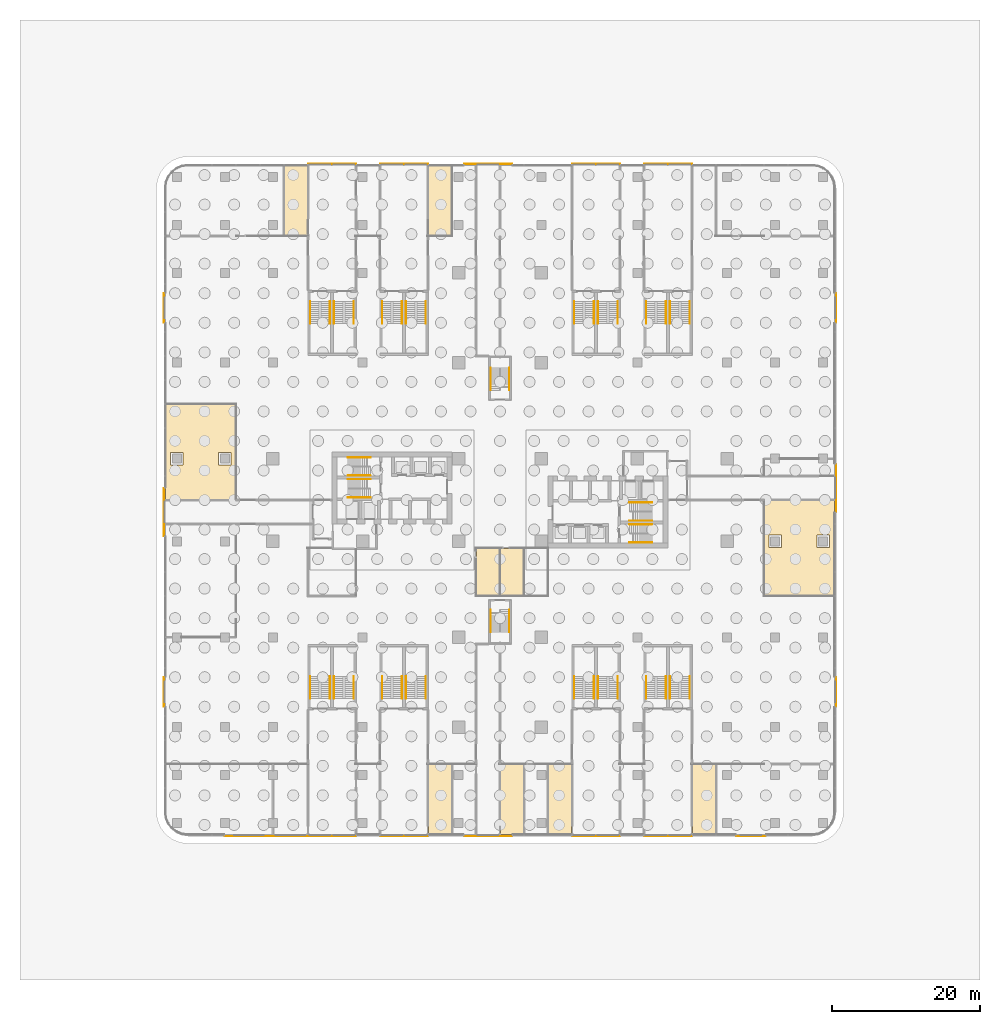
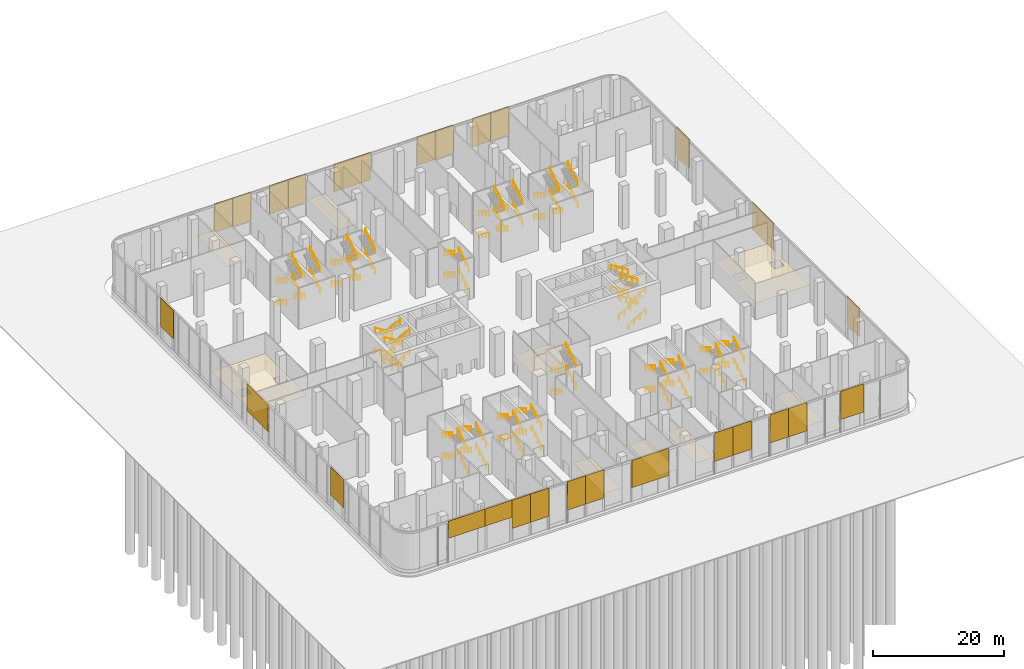
# One storey, part 26 of 27: 88 railings, 37 coverings.
"""IFC4 building model written with IfcOpenShell, lengths in metres."""

from ifc_helpers import new_model, si_unit, direction, frame, origin, origin_2d, place, context, subcontext, project, spatial, polyline, circle, outline, extrude, source, transform, mapped, material, layer, layer_set, type_object, element, save


model = new_model("IFC4")

# Units and contexts
model_context = context("Model", 3, precision=1e-05, world=origin(), true_north=direction((0.0, 1.0)))
body_context = subcontext(model_context, "Body", "Model", "MODEL_VIEW")
ifc_project = project(units=[si_unit("LENGTHUNIT", "METRE"), si_unit("AREAUNIT", "SQUARE_METRE"), si_unit("VOLUMEUNIT", "CUBIC_METRE"), si_unit("PLANEANGLEUNIT", "RADIAN"), si_unit("MASSUNIT", "GRAM", prefix="KILO")], contexts=[model_context])

# Site, building, storey
site_placement = place(None, origin())
site = spatial("IfcSite", under=ifc_project, at=site_placement, CompositionType="ELEMENT")
building_placement = place(site_placement, origin())
building = spatial("IfcBuilding", under=site, at=building_placement, Name="Trellis Farm Tower", CompositionType="ELEMENT")
storey_placement = place(building_placement, origin())
storey = spatial("IfcBuildingStorey", under=building, at=storey_placement, Name="L00", CompositionType="ELEMENT", Elevation=0.0)

# Coverings
ifc_material_1 = material(Name="Mineral fibre ceiling tile on concealed grid")
ifc_layer_1 = layer(ifc_material_1, 0.0400390625)
ifc_layer_set_1 = layer_set([ifc_layer_1], Name="MINERAL FIBRE CEILING TILE 40")
covering_type_1 = type_object("IfcCoveringType", Name="MINERAL FIBRE CEILING TILE 40", PredefinedType="CEILING", material=ifc_layer_set_1)
placement_1 = place(storey_placement, frame((0.0, 0.0, 3.0)))
element("IfcCovering", 1, at=placement_1, inside=storey, type_object=covering_type_1, Name="CL1 suspended ceiling", PredefinedType="CEILING", context=body_context, shape_type="SweptSolid", body=[
    extrude(outline(polyline([(-6.550048828125, 45.300048828125), (-6.550048828125, 35.8125), (-9.64990234375, 35.8125), (-9.64990234375, 45.300048828125), (-9.75, 45.300048828125), (-9.75, 45.302978515625), (-6.5, 45.302978515625), (-6.5, 45.300048828125), (-6.550048828125, 45.300048828125)])), origin(), (0.0, 0.0, 1.0), 0.0400390625),
])
element("IfcCovering", 2, at=placement_1, inside=storey, type_object=covering_type_1, Name="CL1 suspended ceiling", PredefinedType="CEILING", context=body_context, shape_type="SweptSolid", body=[
    extrude(outline(polyline([(-26.0, 45.300048828125), (-26.10009765625, 45.300048828125), (-26.10009765625, 35.8125), (-29.14990234375, 35.8125), (-29.14990234375, 45.300048828125), (-29.25, 45.300048828125), (-29.25, 45.302978515625), (-26.0, 45.302978515625), (-26.0, 45.300048828125)])), origin(), (0.0, 0.0, 1.0), 0.0400390625),
])
element("IfcCovering", 3, at=placement_1, inside=storey, type_object=covering_type_1, Name="CL1 suspended ceiling", PredefinedType="CEILING", context=body_context, shape_type="SweptSolid", body=[
    extrude(outline(polyline([(45.300048828125, -12.949951171875), (35.8125, -12.949951171875), (35.8125, -0.10009765625), (45.300048828125, -0.10009765625), (45.300048828125, 0.0), (45.302978515625, 0.0), (45.302978515625, -13.0), (45.300048828125, -13.0), (45.300048828125, -12.949951171875)]), holes=[polyline([(42.89990234375, -4.75), (42.89990234375, -6.449951171875), (44.60009765625, -6.449951171875), (44.60009765625, -4.75), (42.89990234375, -4.75)]), polyline([(36.39990234375, -4.75), (36.39990234375, -6.449951171875), (38.10009765625, -6.449951171875), (38.10009765625, -4.75), (36.39990234375, -4.75)])]), origin(), (0.0, 0.0, 1.0), 0.0400390625),
])
ifc_material_2 = material(Name="Moisture resistant plasterboard on metal framing")
ifc_layer_2 = layer(ifc_material_2, 0.02490234375)
ifc_layer_set_2 = layer_set([ifc_layer_2], Name="PLASTERBOARD CEILING 25")
covering_type_2 = type_object("IfcCoveringType", Name="PLASTERBOARD CEILING 25", PredefinedType="CEILING", material=ifc_layer_set_2)
element("IfcCovering", 4, at=placement_1, inside=storey, type_object=covering_type_2, Name="CL2 suspended ceiling", PredefinedType="CEILING", context=body_context, shape_type="SweptSolid", body=[
    extrude(outline(polyline([(-0.050048828125, -12.949951171875), (-3.1875, -12.949951171875), (-3.1875, -6.5625), (-0.050048828125, -6.5625), (-0.050048828125, -12.949951171875)])), origin(), (0.0, 0.0, 1.0), 0.02490234375),
])
element("IfcCovering", 5, at=placement_1, inside=storey, type_object=covering_type_2, Name="CL2 suspended ceiling", PredefinedType="CEILING", context=body_context, shape_type="SweptSolid", body=[
    extrude(outline(polyline([(-9.75, -45.300048828125), (-9.64990234375, -45.300048828125), (-9.64990234375, -35.8125), (-6.60009765625, -35.8125), (-6.60009765625, -45.300048828125), (-6.5, -45.300048828125), (-6.5, -45.302978515625), (-9.75, -45.302978515625), (-9.75, -45.300048828125)])), origin(), (0.0, 0.0, 1.0), 0.02490234375),
])
element("IfcCovering", 6, at=placement_1, inside=storey, type_object=covering_type_2, Name="CL2 suspended ceiling", PredefinedType="CEILING", context=body_context, shape_type="SweptSolid", body=[
    extrude(outline(polyline([(0.0, -45.300048828125), (0.10009765625, -45.300048828125), (0.10009765625, -35.8125), (3.14990234375, -35.8125), (3.14990234375, -45.300048828125), (3.25, -45.300048828125), (3.25, -45.302978515625), (0.0, -45.302978515625), (0.0, -45.300048828125)])), origin(), (0.0, 0.0, 1.0), 0.02490234375),
])
element("IfcCovering", 7, at=placement_1, inside=storey, type_object=covering_type_2, Name="CL2 suspended ceiling", PredefinedType="CEILING", context=body_context, shape_type="SweptSolid", body=[
    extrude(outline(polyline([(26.0, -45.300048828125), (26.10009765625, -45.300048828125), (26.10009765625, -35.8125), (29.14990234375, -35.8125), (29.14990234375, -45.300048828125), (29.25, -45.300048828125), (29.25, -45.302978515625), (26.0, -45.302978515625), (26.0, -45.300048828125)])), origin(), (0.0, 0.0, 1.0), 0.02490234375),
])
element("IfcCovering", 8, at=placement_1, inside=storey, type_object=covering_type_2, Name="CL2 suspended ceiling", PredefinedType="CEILING", context=body_context, shape_type="SweptSolid", body=[
    extrude(outline(polyline([(6.60009765625, -45.300048828125), (6.60009765625, -35.8125), (9.64990234375, -35.8125), (9.64990234375, -45.300048828125), (9.75, -45.300048828125), (9.75, -45.302978515625), (6.5, -45.302978515625), (6.5, -45.300048828125), (6.60009765625, -45.300048828125)])), origin(), (0.0, 0.0, 1.0), 0.02490234375),
])
element("IfcCovering", 9, at=placement_1, inside=storey, type_object=covering_type_2, Name="CL2 suspended ceiling", PredefinedType="CEILING", context=body_context, shape_type="SweptSolid", body=[
    extrude(outline(polyline([(-45.300048828125, 12.949951171875), (-35.8125, 12.949951171875), (-35.8125, 0.10009765625), (-45.300048828125, 0.10009765625), (-45.300048828125, 0.0), (-45.302978515625, 0.0), (-45.302978515625, 13.0), (-45.300048828125, 13.0), (-45.300048828125, 12.949951171875)]), holes=[polyline([(-44.60009765625, 4.75), (-42.89990234375, 4.75), (-42.89990234375, 6.449951171875), (-44.60009765625, 6.449951171875), (-44.60009765625, 4.75)]), polyline([(-38.10009765625, 6.449951171875), (-38.10009765625, 4.75), (-36.39990234375, 4.75), (-36.39990234375, 6.449951171875), (-38.10009765625, 6.449951171875)])]), origin(), (0.0, 0.0, 1.0), 0.02490234375),
])
ifc_material_3 = material(Name="Sandstone", Category="masonry")
ifc_layer_3 = layer(ifc_material_3, 0.050048828125)
ifc_layer_set_3 = layer_set([ifc_layer_3], Name="STONE CLADDING PANEL")
covering_type_3 = type_object("IfcCoveringType", Name="STONE CLADDING PANEL", PredefinedType="CLADDING", material=ifc_layer_set_3)
placement_2 = place(storey_placement, frame((0.0, 0.0, 2.39990234375)))
element("IfcCovering", 10, at=placement_2, inside=storey, type_object=covering_type_3, Name="CD1 01", PredefinedType="CLADDING", context=body_context, shape_type="SweptSolid", body=[
    extrude(outline(polyline([(45.550048828125, -28.0), (45.550048828125, -24.0), (45.5, -24.0), (45.5, -28.0), (45.550048828125, -28.0)])), origin(), (0.0, 0.0, 1.0), 5.300048828125),
])
placement_3 = place(storey_placement, frame((0.0, 0.0, 2.60009765625)))
element("IfcCovering", 11, at=placement_3, inside=storey, type_object=covering_type_3, Name="CD1 02", PredefinedType="CLADDING", context=body_context, shape_type="SweptSolid", body=[
    extrude(outline(polyline([(45.550048828125, -1.625), (45.550048828125, 4.875), (45.5, 4.875), (45.5, -1.625), (45.550048828125, -1.625)])), origin(), (0.0, 0.0, 1.0), 5.099853515625),
])
element("IfcCovering", 12, at=placement_2, inside=storey, type_object=covering_type_3, Name="CD1 03", PredefinedType="CLADDING", context=body_context, shape_type="SweptSolid", body=[
    extrude(outline(polyline([(45.550048828125, 24.0), (45.550048828125, 28.0), (45.5, 28.0), (45.5, 24.0), (45.550048828125, 24.0)])), origin(), (0.0, 0.0, 1.0), 5.300048828125),
])
element("IfcCovering", 13, at=placement_2, inside=storey, type_object=covering_type_3, Name="CD1 04", PredefinedType="CLADDING", context=body_context, shape_type="SweptSolid", body=[
    extrude(outline(polyline([(26.0, 45.550048828125), (22.75, 45.550048828125), (22.75, 45.5), (26.0, 45.5), (26.0, 45.550048828125)])), origin(), (0.0, 0.0, 1.0), 5.300048828125),
])
element("IfcCovering", 14, at=placement_2, inside=storey, type_object=covering_type_3, Name="CD1 05", PredefinedType="CLADDING", context=body_context, shape_type="SweptSolid", body=[
    extrude(outline(polyline([(22.75, 45.550048828125), (19.5, 45.550048828125), (19.5, 45.5), (22.75, 45.5), (22.75, 45.550048828125)])), origin(), (0.0, 0.0, 1.0), 5.300048828125),
])
element("IfcCovering", 15, at=placement_2, inside=storey, type_object=covering_type_3, Name="CD1 06", PredefinedType="CLADDING", context=body_context, shape_type="SweptSolid", body=[
    extrude(outline(polyline([(16.25, 45.550048828125), (13.0, 45.550048828125), (13.0, 45.5), (16.25, 45.5), (16.25, 45.550048828125)])), origin(), (0.0, 0.0, 1.0), 5.300048828125),
])
element("IfcCovering", 16, at=placement_2, inside=storey, type_object=covering_type_3, Name="CD1 07", PredefinedType="CLADDING", context=body_context, shape_type="SweptSolid", body=[
    extrude(outline(polyline([(13.0, 45.550048828125), (9.75, 45.550048828125), (9.75, 45.5), (13.0, 45.5), (13.0, 45.550048828125)])), origin(), (0.0, 0.0, 1.0), 5.300048828125),
])
element("IfcCovering", 17, at=placement_3, inside=storey, type_object=covering_type_3, Name="CD1 08", PredefinedType="CLADDING", context=body_context, shape_type="SweptSolid", body=[
    extrude(outline(polyline([(1.625, 45.550048828125), (-4.875, 45.550048828125), (-4.875, 45.5), (1.625, 45.5), (1.625, 45.550048828125)])), origin(), (0.0, 0.0, 1.0), 5.099853515625),
])
element("IfcCovering", 18, at=placement_2, inside=storey, type_object=covering_type_3, Name="CD1 09", PredefinedType="CLADDING", context=body_context, shape_type="SweptSolid", body=[
    extrude(outline(polyline([(-9.75, 45.550048828125), (-13.0, 45.550048828125), (-13.0, 45.5), (-9.75, 45.5), (-9.75, 45.550048828125)])), origin(), (0.0, 0.0, 1.0), 5.300048828125),
])
element("IfcCovering", 19, at=placement_2, inside=storey, type_object=covering_type_3, Name="CD1 10", PredefinedType="CLADDING", context=body_context, shape_type="SweptSolid", body=[
    extrude(outline(polyline([(-13.0, 45.550048828125), (-16.25, 45.550048828125), (-16.25, 45.5), (-13.0, 45.5), (-13.0, 45.550048828125)])), origin(), (0.0, 0.0, 1.0), 5.300048828125),
])
element("IfcCovering", 20, at=placement_2, inside=storey, type_object=covering_type_3, Name="CD1 11", PredefinedType="CLADDING", context=body_context, shape_type="SweptSolid", body=[
    extrude(outline(polyline([(-19.5, 45.550048828125), (-22.75, 45.550048828125), (-22.75, 45.5), (-19.5, 45.5), (-19.5, 45.550048828125)])), origin(), (0.0, 0.0, 1.0), 5.300048828125),
])
element("IfcCovering", 21, at=placement_2, inside=storey, type_object=covering_type_3, Name="CD1 12", PredefinedType="CLADDING", context=body_context, shape_type="SweptSolid", body=[
    extrude(outline(polyline([(-22.75, 45.550048828125), (-26.0, 45.550048828125), (-26.0, 45.5), (-22.75, 45.5), (-22.75, 45.550048828125)])), origin(), (0.0, 0.0, 1.0), 5.300048828125),
])
element("IfcCovering", 22, at=placement_2, inside=storey, type_object=covering_type_3, Name="CD1 13", PredefinedType="CLADDING", context=body_context, shape_type="SweptSolid", body=[
    extrude(outline(polyline([(-45.550048828125, 28.0), (-45.550048828125, 24.0), (-45.5, 24.0), (-45.5, 28.0), (-45.550048828125, 28.0)])), origin(), (0.0, 0.0, 1.0), 5.300048828125),
])
element("IfcCovering", 23, at=placement_3, inside=storey, type_object=covering_type_3, Name="CD1 14", PredefinedType="CLADDING", context=body_context, shape_type="SweptSolid", body=[
    extrude(outline(polyline([(-45.550048828125, 1.625), (-45.550048828125, -4.875), (-45.5, -4.875), (-45.5, 1.625), (-45.550048828125, 1.625)])), origin(), (0.0, 0.0, 1.0), 5.099853515625),
])
element("IfcCovering", 24, at=placement_2, inside=storey, type_object=covering_type_3, Name="CD1 15", PredefinedType="CLADDING", context=body_context, shape_type="SweptSolid", body=[
    extrude(outline(polyline([(-45.550048828125, -24.0), (-45.550048828125, -28.0), (-45.5, -28.0), (-45.5, -24.0), (-45.550048828125, -24.0)])), origin(), (0.0, 0.0, 1.0), 5.300048828125),
])
placement_4 = place(storey_placement, frame((0.0, 0.0, 4.5)))
element("IfcCovering", 25, at=placement_4, inside=storey, type_object=covering_type_3, Name="CD1 16", PredefinedType="CLADDING", context=body_context, shape_type="SweptSolid", body=[
    extrude(outline(polyline([(-37.25, -45.550048828125), (-30.75, -45.550048828125), (-30.75, -45.5), (-37.25, -45.5), (-37.25, -45.550048828125)])), origin(), (0.0, 0.0, 1.0), 3.199951171875),
])
element("IfcCovering", 26, at=placement_4, inside=storey, type_object=covering_type_3, Name="CD1 17", PredefinedType="CLADDING", context=body_context, shape_type="SweptSolid", body=[
    extrude(outline(polyline([(-30.75, -45.550048828125), (-26.0, -45.550048828125), (-26.0, -45.5), (-30.75, -45.5), (-30.75, -45.550048828125)])), origin(), (0.0, 0.0, 1.0), 3.199951171875),
])
element("IfcCovering", 27, at=placement_2, inside=storey, type_object=covering_type_3, Name="CD1 18", PredefinedType="CLADDING", context=body_context, shape_type="SweptSolid", body=[
    extrude(outline(polyline([(-26.0, -45.550048828125), (-22.75, -45.550048828125), (-22.75, -45.5), (-26.0, -45.5), (-26.0, -45.550048828125)])), origin(), (0.0, 0.0, 1.0), 5.300048828125),
])
element("IfcCovering", 28, at=placement_2, inside=storey, type_object=covering_type_3, Name="CD1 19", PredefinedType="CLADDING", context=body_context, shape_type="SweptSolid", body=[
    extrude(outline(polyline([(-22.75, -45.550048828125), (-19.5, -45.550048828125), (-19.5, -45.5), (-22.75, -45.5), (-22.75, -45.550048828125)])), origin(), (0.0, 0.0, 1.0), 5.300048828125),
])
element("IfcCovering", 29, at=placement_2, inside=storey, type_object=covering_type_3, Name="CD1 20", PredefinedType="CLADDING", context=body_context, shape_type="SweptSolid", body=[
    extrude(outline(polyline([(-16.25, -45.550048828125), (-13.0, -45.550048828125), (-13.0, -45.5), (-16.25, -45.5), (-16.25, -45.550048828125)])), origin(), (0.0, 0.0, 1.0), 5.300048828125),
])
element("IfcCovering", 30, at=placement_2, inside=storey, type_object=covering_type_3, Name="CD1 21", PredefinedType="CLADDING", context=body_context, shape_type="SweptSolid", body=[
    extrude(outline(polyline([(-13.0, -45.550048828125), (-9.75, -45.550048828125), (-9.75, -45.5), (-13.0, -45.5), (-13.0, -45.550048828125)])), origin(), (0.0, 0.0, 1.0), 5.300048828125),
])
element("IfcCovering", 31, at=placement_3, inside=storey, type_object=covering_type_3, Name="CD1 22", PredefinedType="CLADDING", context=body_context, shape_type="SweptSolid", body=[
    extrude(outline(polyline([(-4.875, -45.550048828125), (1.625, -45.550048828125), (1.625, -45.5), (-4.875, -45.5), (-4.875, -45.550048828125)])), origin(), (0.0, 0.0, 1.0), 5.099853515625),
])
element("IfcCovering", 32, at=placement_2, inside=storey, type_object=covering_type_3, Name="CD1 23", PredefinedType="CLADDING", context=body_context, shape_type="SweptSolid", body=[
    extrude(outline(polyline([(9.75, -45.550048828125), (13.0, -45.550048828125), (13.0, -45.5), (9.75, -45.5), (9.75, -45.550048828125)])), origin(), (0.0, 0.0, 1.0), 5.300048828125),
])
element("IfcCovering", 33, at=placement_2, inside=storey, type_object=covering_type_3, Name="CD1 24", PredefinedType="CLADDING", context=body_context, shape_type="SweptSolid", body=[
    extrude(outline(polyline([(13.0, -45.550048828125), (16.25, -45.550048828125), (16.25, -45.5), (13.0, -45.5), (13.0, -45.550048828125)])), origin(), (0.0, 0.0, 1.0), 5.300048828125),
])
element("IfcCovering", 34, at=placement_2, inside=storey, type_object=covering_type_3, Name="CD1 25", PredefinedType="CLADDING", context=body_context, shape_type="SweptSolid", body=[
    extrude(outline(polyline([(19.5, -45.550048828125), (22.75, -45.550048828125), (22.75, -45.5), (19.5, -45.5), (19.5, -45.550048828125)])), origin(), (0.0, 0.0, 1.0), 5.300048828125),
])
element("IfcCovering", 35, at=placement_2, inside=storey, type_object=covering_type_3, Name="CD1 26", PredefinedType="CLADDING", context=body_context, shape_type="SweptSolid", body=[
    extrude(outline(polyline([(22.75, -45.550048828125), (26.0, -45.550048828125), (26.0, -45.5), (22.75, -45.5), (22.75, -45.550048828125)])), origin(), (0.0, 0.0, 1.0), 5.300048828125),
])
element("IfcCovering", 36, at=placement_2, inside=storey, type_object=covering_type_3, Name="CD1 27", PredefinedType="CLADDING", context=body_context, shape_type="SweptSolid", body=[
    extrude(outline(polyline([(32.0, -45.550048828125), (36.0, -45.550048828125), (36.0, -45.5), (32.0, -45.5), (32.0, -45.550048828125)])), origin(), (0.0, 0.0, 1.0), 5.300048828125),
])

# Railings
ifc_material_4 = material(Name="Stainless steel", Category="steel")
railing_type = type_object("IfcRailingType", Name="STAIR HANDRAIL 900", PredefinedType="HANDRAIL", material=ifc_material_4)
shared_shape_1 = source(origin(), body_context, "Body", "SweptSolid", [
    extrude(circle(Radius=0.02392578125, at=origin_2d()), frame((0.0, 0.0, 0.8759765625), z_axis=(0.0, 0.855200612876, 0.518297126884), x_axis=(-1.0, 0.0, 0.0)), (0.0, 0.0, 1.0), 3.537109375),
    extrude(circle(Radius=0.02099609375, at=origin_2d()), origin(), (0.0, 0.0, 1.0), 0.851806640625),
    extrude(circle(Radius=0.02099609375, at=origin_2d()), frame((0.0, 1.00830078125, 0.611083984375)), (0.0, 0.0, 1.0), 0.851806640625),
    extrude(circle(Radius=0.02099609375, at=origin_2d()), frame((0.0, 2.0166015625, 1.22216796875)), (0.0, 0.0, 1.0), 0.851806640625),
    extrude(circle(Radius=0.02099609375, at=origin_2d()), frame((0.0, 3.02490234375, 1.833251953125)), (0.0, 0.0, 1.0), 0.851806640625),
])
for number, where, name in (
    (37, (1.25, 14.85009765625, 0.166748046875), "Stair handrail"),
    (38, (1.25, 14.85009765625, 4.166748046875), "Stair handrail"),
    (39, (1.25, -17.875, 2.166748046875), "Stair handrail"),
    (40, (1.25, -17.875, 6.166748046875), "Stair handrail"),
    (41, (-23.02001953125, 23.875, 2.166748046875), "Stair handrail"),
    (42, (-23.02001953125, 23.875, 6.166748046875), "Stair handrail"),
    (43, (-19.800048828125, 23.875, 2.166748046875), "Stair handrail"),
    (44, (-19.800048828125, 23.875, 6.166748046875), "Stair handrail"),
    (45, (-13.27001953125, 23.875, 2.166748046875), "Stair handrail"),
    (46, (-13.27001953125, 23.875, 6.166748046875), "Stair handrail"),
    (47, (-10.050048828125, 23.875, 2.166748046875), "Stair handrail"),
    (48, (-10.050048828125, 23.875, 6.166748046875), "Stair handrail"),
    (49, (12.72998046875, 23.875, 2.166748046875), "Stair handrail"),
    (50, (12.72998046875, 23.875, 6.166748046875), "Stair handrail"),
    (51, (15.949951171875, 23.875, 2.166748046875), "Stair handrail"),
    (52, (15.949951171875, 23.875, 6.166748046875), "Stair handrail"),
    (53, (22.47998046875, 23.875, 2.166748046875), "Stair handrail"),
    (54, (22.47998046875, 23.875, 6.166748046875), "Stair handrail"),
    (55, (25.699951171875, 23.875, 2.166748046875), "Stair handrail"),
    (56, (25.699951171875, 23.875, 6.166748046875), "Stair handrail"),
    (57, (-23.02001953125, -26.89990234375, 0.166748046875), "Stair handrail"),
    (58, (-23.02001953125, -26.89990234375, 4.166748046875), "Stair handrail"),
    (59, (-19.800048828125, -26.89990234375, 0.166748046875), "Stair handrail"),
    (60, (-19.800048828125, -26.89990234375, 4.166748046875), "Stair handrail"),
    (61, (-13.27001953125, -26.89990234375, 0.166748046875), "Stair handrail"),
    (62, (-13.27001953125, -26.89990234375, 4.166748046875), "Stair handrail"),
    (63, (-10.050048828125, -26.89990234375, 0.166748046875), "Stair handrail"),
    (64, (-10.050048828125, -26.89990234375, 4.166748046875), "Stair handrail"),
    (65, (12.72998046875, -26.89990234375, 0.166748046875), "Stair handrail"),
    (66, (12.72998046875, -26.89990234375, 4.166748046875), "Stair handrail"),
    (67, (15.949951171875, -26.89990234375, 0.166748046875), "Stair handrail"),
    (68, (15.949951171875, -26.89990234375, 4.166748046875), "Stair handrail"),
    (69, (22.47998046875, -26.89990234375, 0.166748046875), "Stair handrail"),
    (70, (22.47998046875, -26.89990234375, 4.166748046875), "Stair handrail"),
    (71, (25.699951171875, -26.89990234375, 0.166748046875), "Stair handrail"),
    (72, (25.699951171875, -26.89990234375, 4.166748046875), "Stair handrail"),
):
    element("IfcRailing", number, at=place(storey_placement, frame(where)), inside=storey, type_object=railing_type, Name=name, PredefinedType="HANDRAIL", context=body_context, shape_type="MappedRepresentation", body=[
        mapped(shared_shape_1, transform((0.0, 0.0, 0.0))),
    ])
shared_shape_2 = source(origin(), body_context, "Body", "SweptSolid", [
    extrude(circle(Radius=0.02392578125, at=origin_2d()), frame((0.0, 0.0, 0.8759765625), z_axis=(0.0, -0.855200612876, 0.518297126884), x_axis=(1.0, 0.0, 0.0)), (0.0, 0.0, 1.0), 3.537109375),
    extrude(circle(Radius=0.02099609375, at=origin_2d()), origin(), (0.0, 0.0, 1.0), 0.851806640625),
    extrude(circle(Radius=0.02099609375, at=origin_2d()), frame((0.0, -1.00830078125, 0.611083984375)), (0.0, 0.0, 1.0), 0.851806640625),
    extrude(circle(Radius=0.02099609375, at=origin_2d()), frame((0.0, -2.0166015625, 1.22216796875)), (0.0, 0.0, 1.0), 0.851806640625),
    extrude(circle(Radius=0.02099609375, at=origin_2d()), frame((0.0, -3.02490234375, 1.833251953125)), (0.0, 0.0, 1.0), 0.851806640625),
])
for number, where, name in (
    (73, (-1.25, 17.875, 2.166748046875), "Stair handrail"),
    (74, (-1.25, 17.875, 6.166748046875), "Stair handrail"),
    (75, (-1.25, -14.85009765625, 0.166748046875), "Stair handrail"),
    (76, (-1.25, -14.85009765625, 4.166748046875), "Stair handrail"),
    (77, (-25.699951171875, 26.89990234375, 0.166748046875), "Stair handrail"),
    (78, (-25.699951171875, 26.89990234375, 4.166748046875), "Stair handrail"),
    (79, (-22.47998046875, 26.89990234375, 0.166748046875), "Stair handrail"),
    (80, (-22.47998046875, 26.89990234375, 4.166748046875), "Stair handrail"),
    (81, (-15.949951171875, 26.89990234375, 0.166748046875), "Stair handrail"),
    (82, (-15.949951171875, 26.89990234375, 4.166748046875), "Stair handrail"),
    (83, (-12.72998046875, 26.89990234375, 0.166748046875), "Stair handrail"),
    (84, (-12.72998046875, 26.89990234375, 4.166748046875), "Stair handrail"),
    (85, (10.050048828125, 26.89990234375, 0.166748046875), "Stair handrail"),
    (86, (10.050048828125, 26.89990234375, 4.166748046875), "Stair handrail"),
    (87, (13.27001953125, 26.89990234375, 0.166748046875), "Stair handrail"),
    (88, (13.27001953125, 26.89990234375, 4.166748046875), "Stair handrail"),
    (89, (19.800048828125, 26.89990234375, 0.166748046875), "Stair handrail"),
    (90, (19.800048828125, 26.89990234375, 4.166748046875), "Stair handrail"),
    (91, (23.02001953125, 26.89990234375, 0.166748046875), "Stair handrail"),
    (92, (23.02001953125, 26.89990234375, 4.166748046875), "Stair handrail"),
    (93, (-25.699951171875, -23.875, 2.166748046875), "Stair handrail"),
    (94, (-25.699951171875, -23.875, 6.166748046875), "Stair handrail"),
    (95, (-22.47998046875, -23.875, 2.166748046875), "Stair handrail"),
    (96, (-22.47998046875, -23.875, 6.166748046875), "Stair handrail"),
    (97, (-15.949951171875, -23.875, 2.166748046875), "Stair handrail"),
    (98, (-15.949951171875, -23.875, 6.166748046875), "Stair handrail"),
    (99, (-12.72998046875, -23.875, 2.166748046875), "Stair handrail"),
    (100, (-12.72998046875, -23.875, 6.166748046875), "Stair handrail"),
    (101, (10.050048828125, -23.875, 2.166748046875), "Stair handrail"),
    (102, (10.050048828125, -23.875, 6.166748046875), "Stair handrail"),
    (103, (13.27001953125, -23.875, 2.166748046875), "Stair handrail"),
    (104, (13.27001953125, -23.875, 6.166748046875), "Stair handrail"),
    (105, (19.800048828125, -23.875, 2.166748046875), "Stair handrail"),
    (106, (19.800048828125, -23.875, 6.166748046875), "Stair handrail"),
    (107, (23.02001953125, -23.875, 2.166748046875), "Stair handrail"),
    (108, (23.02001953125, -23.875, 6.166748046875), "Stair handrail"),
):
    element("IfcRailing", number, at=place(storey_placement, frame(where)), inside=storey, type_object=railing_type, Name=name, PredefinedType="HANDRAIL", context=body_context, shape_type="MappedRepresentation", body=[
        mapped(shared_shape_2, transform((0.0, 0.0, 0.0))),
    ])
shared_shape_3 = source(origin(), body_context, "Body", "SweptSolid", [
    extrude(circle(Radius=0.02392578125, at=origin_2d()), frame((0.0, 0.0, 0.8759765625), z_axis=(0.855200612876, 0.0, 0.518297126884), x_axis=(0.0, 1.0, 0.0)), (0.0, 0.0, 1.0), 3.537109375),
    extrude(circle(Radius=0.02099609375, at=origin_2d()), origin(), (0.0, 0.0, 1.0), 0.851806640625),
    extrude(circle(Radius=0.02099609375, at=origin_2d()), frame((1.00830078125, 0.0, 0.611083984375)), (0.0, 0.0, 1.0), 0.851806640625),
    extrude(circle(Radius=0.02099609375, at=origin_2d()), frame((2.0166015625, 0.0, 1.22216796875)), (0.0, 0.0, 1.0), 0.851806640625),
    extrude(circle(Radius=0.02099609375, at=origin_2d()), frame((3.02490234375, 0.0, 1.833251953125)), (0.0, 0.0, 1.0), 0.851806640625),
])
for number, where, name in (
    (109, (17.550048828125, -5.75, 0.166748046875), "Stair handrail"),
    (110, (17.550048828125, -5.75, 4.166748046875), "Stair handrail"),
    (111, (17.550048828125, -2.800048828125, 0.166748046875), "Stair handrail"),
    (112, (17.550048828125, -2.800048828125, 4.166748046875), "Stair handrail"),
    (113, (-20.574951171875, 3.300048828125, 2.166748046875), "Stair handrail"),
    (114, (-20.574951171875, 3.300048828125, 6.166748046875), "Stair handrail"),
    (115, (-20.574951171875, 0.35009765625, 2.166748046875), "Stair handrail"),
    (116, (-20.574951171875, 0.35009765625, 6.166748046875), "Stair handrail"),
):
    element("IfcRailing", number, at=place(storey_placement, frame(where)), inside=storey, type_object=railing_type, Name=name, PredefinedType="HANDRAIL", context=body_context, shape_type="MappedRepresentation", body=[
        mapped(shared_shape_3, transform((0.0, 0.0, 0.0))),
    ])
shared_shape_4 = source(origin(), body_context, "Body", "SweptSolid", [
    extrude(circle(Radius=0.02392578125, at=origin_2d()), frame((0.0, 0.0, 0.8759765625), z_axis=(-0.855200612876, 0.0, 0.518297126884), x_axis=(0.0, -1.0, 0.0)), (0.0, 0.0, 1.0), 3.537109375),
    extrude(circle(Radius=0.02099609375, at=origin_2d()), origin(), (0.0, 0.0, 1.0), 0.851806640625),
    extrude(circle(Radius=0.02099609375, at=origin_2d()), frame((-1.00830078125, 0.0, 0.611083984375)), (0.0, 0.0, 1.0), 0.851806640625),
    extrude(circle(Radius=0.02099609375, at=origin_2d()), frame((-2.0166015625, 0.0, 1.22216796875)), (0.0, 0.0, 1.0), 0.851806640625),
    extrude(circle(Radius=0.02099609375, at=origin_2d()), frame((-3.02490234375, 0.0, 1.833251953125)), (0.0, 0.0, 1.0), 0.851806640625),
])
for number, where, name in (
    (117, (20.574951171875, -3.300048828125, 2.166748046875), "Stair handrail"),
    (118, (20.574951171875, -3.300048828125, 6.166748046875), "Stair handrail"),
    (119, (20.574951171875, -0.35009765625, 2.166748046875), "Stair handrail"),
    (120, (20.574951171875, -0.35009765625, 6.166748046875), "Stair handrail"),
    (121, (-17.550048828125, 5.75, 0.166748046875), "Stair handrail"),
    (122, (-17.550048828125, 5.75, 4.166748046875), "Stair handrail"),
    (123, (-17.550048828125, 2.800048828125, 0.166748046875), "Stair handrail"),
    (124, (-17.550048828125, 2.800048828125, 4.166748046875), "Stair handrail"),
):
    element("IfcRailing", number, at=place(storey_placement, frame(where)), inside=storey, type_object=railing_type, Name=name, PredefinedType="HANDRAIL", context=body_context, shape_type="MappedRepresentation", body=[
        mapped(shared_shape_4, transform((0.0, 0.0, 0.0))),
    ])

# Covering
shared_shape_5 = source(origin(), body_context, "Body", "SweptSolid", [
    extrude(outline(polyline([(3.199951171875, -12.949951171875), (0.050048828125, -12.949951171875), (0.050048828125, -6.5625), (3.199951171875, -6.5625), (3.199951171875, -12.949951171875)])), origin(), (0.0, 0.0, 1.0), 0.02490234375),
])
element("IfcCovering", 125, at=placement_1, inside=storey, type_object=covering_type_2, Name="CL2 suspended ceiling", PredefinedType="CEILING", context=body_context, shape_type="MappedRepresentation", body=[
    mapped(shared_shape_5, transform((0.0, 0.0, 0.0))),
])

save(model, "model.ifc")
